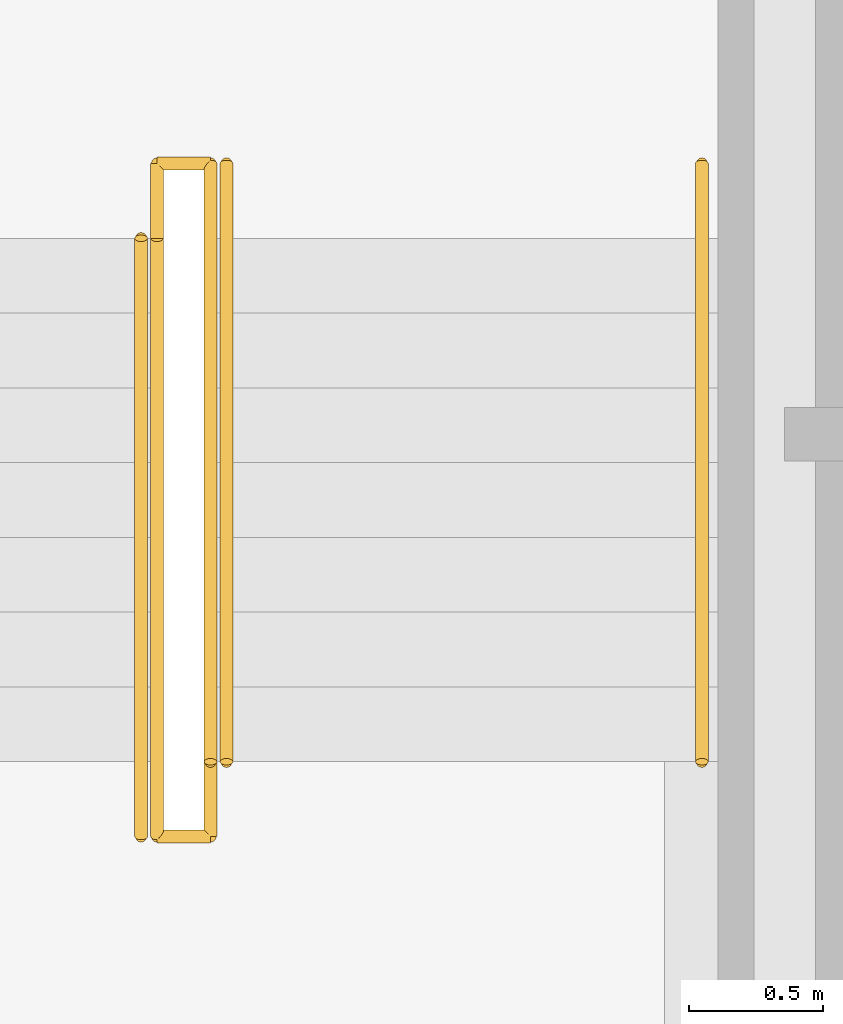
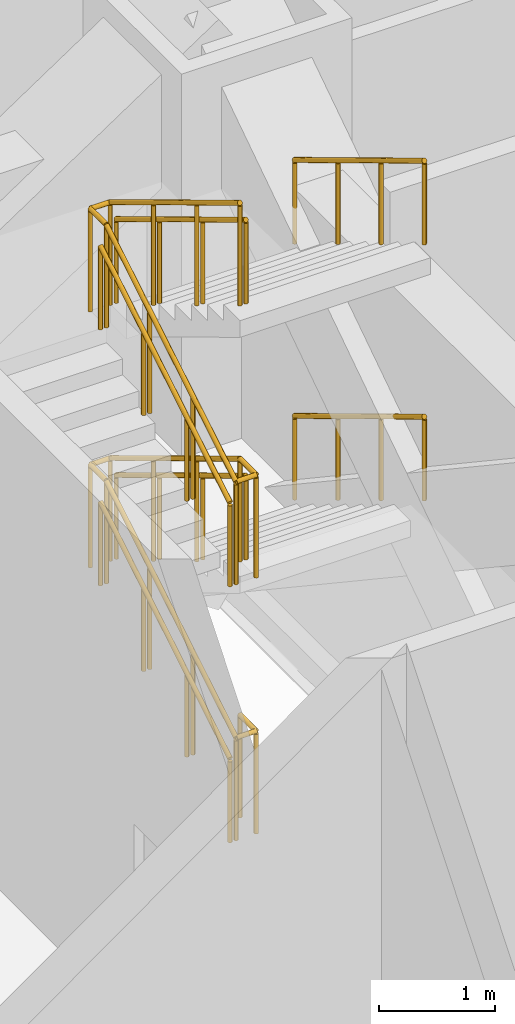
# One storey, part 29 of 30: 7 railings.
"""IFC4 building model written with IfcOpenShell, lengths in metres."""

from ifc_helpers import new_model, si_unit, direction, frame, origin, origin_2d, place, context, subcontext, project, spatial, circle, extrude, material, type_object, element, save


model = new_model("IFC4")

# Units and contexts
model_context = context("Model", 3, precision=1e-05, world=origin(), true_north=direction((0.0, 1.0)))
body_context = subcontext(model_context, "Body", "Model", "MODEL_VIEW")
ifc_project = project(units=[si_unit("LENGTHUNIT", "METRE"), si_unit("AREAUNIT", "SQUARE_METRE"), si_unit("VOLUMEUNIT", "CUBIC_METRE"), si_unit("PLANEANGLEUNIT", "RADIAN"), si_unit("MASSUNIT", "GRAM", prefix="KILO")], contexts=[model_context])

# Site, building, storey
site_placement = place(None, origin())
site = spatial("IfcSite", under=ifc_project, at=site_placement, CompositionType="ELEMENT")
building_placement = place(site_placement, origin())
building = spatial("IfcBuilding", under=site, at=building_placement, Name="Kopane Lantern Tower", CompositionType="ELEMENT")
storey_placement = place(building_placement, frame((0.0, 0.0, 6.0)))
storey = spatial("IfcBuildingStorey", under=building, at=storey_placement, Name="L01", CompositionType="ELEMENT", Elevation=6.0)

# Railings
ifc_material_1 = material(Name="Steel", Category="steel")
railing_type_1 = type_object("IfcRailingType", Name="STAIR GUARD 1100", PredefinedType="GUARDRAIL", material=ifc_material_1)
railing_1_placement = place(storey_placement, frame((38.35009765625, 36.389892578125, 0.0)))
element("IfcRailing", 1, at=railing_1_placement, inside=storey, type_object=railing_type_1, Name="ST2 well guard L01", PredefinedType="GUARDRAIL", context=body_context, shape_type="SweptSolid", body=[
    extrude(circle(Radius=0.02392578125, at=origin_2d()), frame((0.0, 0.0, 1.076171875), z_axis=(0.0, -1.0, 0.0), x_axis=(1.0, 0.0, 0.0)), (0.0, 0.0, 1.0), 0.27978515625),
    extrude(circle(Radius=0.02392578125, at=origin_2d()), frame((0.0, -0.27978515625, 1.076171875), z_axis=(-1.0, 0.0, 0.0), x_axis=(0.0, -1.0, 0.0)), (0.0, 0.0, 1.0), 0.2001953125),
    extrude(circle(Radius=0.02392578125, at=origin_2d()), frame((-0.2001953125, -0.27978515625, 1.076171875), z_axis=(0.0, 0.856461642802, 0.516210668632), x_axis=(-1.0, 0.0, 0.0)), (0.0, 0.0, 1.0), 2.615478515625),
    extrude(circle(Radius=0.02392578125, at=origin_2d()), frame((-0.2001953125, 1.960205078125, 2.42626953125), z_axis=(0.0, 1.0, 0.0), x_axis=(-1.0, 0.0, 0.0)), (0.0, 0.0, 1.0), 0.27978515625),
    extrude(circle(Radius=0.02392578125, at=origin_2d()), frame((-0.2001953125, 2.239990234375, 2.42626953125), z_axis=(1.0, 0.0, 0.0), x_axis=(0.0, 1.0, 0.0)), (0.0, 0.0, 1.0), 0.2001953125),
    extrude(circle(Radius=0.02392578125, at=origin_2d()), frame((0.0, 2.239990234375, 2.42626953125), z_axis=(0.0, -0.856502912269, 0.516142190947), x_axis=(1.0, 0.0, 0.0)), (0.0, 0.0, 1.0), 2.615234375),
    extrude(circle(Radius=0.02392578125, at=origin_2d()), frame((0.0, 0.0, 3.77587890625), z_axis=(0.0, -1.0, 0.0), x_axis=(1.0, 0.0, 0.0)), (0.0, 0.0, 1.0), 0.27978515625),
    extrude(circle(Radius=0.02392578125, at=origin_2d()), frame((0.0, -0.27978515625, 3.77587890625), z_axis=(-1.0, 0.0, 0.0), x_axis=(0.0, -1.0, 0.0)), (0.0, 0.0, 1.0), 0.2001953125),
    extrude(circle(Radius=0.02392578125, at=origin_2d()), frame((-0.2001953125, -0.27978515625, 3.77587890625), z_axis=(0.0, 0.856461642802, 0.516210668632), x_axis=(-1.0, 0.0, 0.0)), (0.0, 0.0, 1.0), 2.615478515625),
    extrude(circle(Radius=0.02392578125, at=origin_2d()), frame((-0.2001953125, 1.960205078125, 5.1259765625), z_axis=(0.0, 1.0, 0.0), x_axis=(-1.0, 0.0, 0.0)), (0.0, 0.0, 1.0), 0.27978515625),
    extrude(circle(Radius=0.02392578125, at=origin_2d()), frame((-0.2001953125, 2.239990234375, 5.1259765625), z_axis=(1.0, 0.0, 0.0), x_axis=(0.0, 1.0, 0.0)), (0.0, 0.0, 1.0), 0.2001953125),
    extrude(circle(Radius=0.02392578125, at=origin_2d()), frame((0.0, 2.239990234375, 5.1259765625), z_axis=(0.0, -0.856502912269, 0.516142190947), x_axis=(1.0, 0.0, 0.0)), (0.0, 0.0, 1.0), 2.615234375),
    extrude(circle(Radius=0.02099609375, at=origin_2d()), origin(), (0.0, 0.0, 1.0), 1.052001953125),
    extrude(circle(Radius=0.02099609375, at=origin_2d()), frame((0.0, -0.27978515625, 0.0)), (0.0, 0.0, 1.0), 1.052001953125),
    extrude(circle(Radius=0.02099609375, at=origin_2d()), frame((-0.2001953125, -0.27978515625, 0.0)), (0.0, 0.0, 1.0), 1.052001953125),
    extrude(circle(Radius=0.02099609375, at=origin_2d()), frame((-0.2001953125, 0.466796875, 0.449951171875)), (0.0, 0.0, 1.0), 1.052001953125),
    extrude(circle(Radius=0.02099609375, at=origin_2d()), frame((-0.2001953125, 1.213623046875, 0.900146484375)), (0.0, 0.0, 1.0), 1.052001953125),
    extrude(circle(Radius=0.02099609375, at=origin_2d()), frame((-0.2001953125, 1.960205078125, 1.35009765625)), (0.0, 0.0, 1.0), 1.052001953125),
    extrude(circle(Radius=0.02099609375, at=origin_2d()), frame((-0.2001953125, 2.239990234375, 1.35009765625)), (0.0, 0.0, 1.0), 1.052001953125),
    extrude(circle(Radius=0.02099609375, at=origin_2d()), frame((0.0, 2.239990234375, 1.35009765625)), (0.0, 0.0, 1.0), 1.052001953125),
    extrude(circle(Radius=0.02099609375, at=origin_2d()), frame((0.0, 1.493408203125, 1.800048828125)), (0.0, 0.0, 1.0), 1.052001953125),
    extrude(circle(Radius=0.02099609375, at=origin_2d()), frame((0.0, 0.74658203125, 2.25)), (0.0, 0.0, 1.0), 1.052001953125),
    extrude(circle(Radius=0.02099609375, at=origin_2d()), frame((0.0, 0.0, 2.699951171875)), (0.0, 0.0, 1.0), 1.052001953125),
    extrude(circle(Radius=0.02099609375, at=origin_2d()), frame((0.0, -0.27978515625, 2.699951171875)), (0.0, 0.0, 1.0), 1.052001953125),
    extrude(circle(Radius=0.02099609375, at=origin_2d()), frame((-0.2001953125, -0.27978515625, 2.699951171875)), (0.0, 0.0, 1.0), 1.052001953125),
    extrude(circle(Radius=0.02099609375, at=origin_2d()), frame((-0.2001953125, 0.466796875, 3.14990234375)), (0.0, 0.0, 1.0), 1.052001953125),
    extrude(circle(Radius=0.02099609375, at=origin_2d()), frame((-0.2001953125, 1.213623046875, 3.60009765625)), (0.0, 0.0, 1.0), 1.052001953125),
    extrude(circle(Radius=0.02099609375, at=origin_2d()), frame((-0.2001953125, 1.960205078125, 4.050048828125)), (0.0, 0.0, 1.0), 1.052001953125),
    extrude(circle(Radius=0.02099609375, at=origin_2d()), frame((-0.2001953125, 2.239990234375, 4.050048828125)), (0.0, 0.0, 1.0), 1.052001953125),
    extrude(circle(Radius=0.02099609375, at=origin_2d()), frame((0.0, 2.239990234375, 4.050048828125)), (0.0, 0.0, 1.0), 1.052001953125),
    extrude(circle(Radius=0.02099609375, at=origin_2d()), frame((0.0, 1.493408203125, 4.5)), (0.0, 0.0, 1.0), 1.052001953125),
    extrude(circle(Radius=0.02099609375, at=origin_2d()), frame((0.0, 0.74658203125, 4.949951171875)), (0.0, 0.0, 1.0), 1.052001953125),
    extrude(circle(Radius=0.02099609375, at=origin_2d()), frame((0.0, 0.0, 5.39990234375)), (0.0, 0.0, 1.0), 1.052001953125),
])
ifc_material_2 = material(Name="Steel", Category="steel")
railing_type_2 = type_object("IfcRailingType", Name="STAIR HANDRAIL 900", PredefinedType="HANDRAIL", material=ifc_material_2)
railing_2_placement = place(storey_placement, frame((38.090087890625, 36.110107421875, 0.0)))
element("IfcRailing", 2, at=railing_2_placement, inside=storey, type_object=railing_type_2, Name="ST2 handrail L01 flight 1", PredefinedType="HANDRAIL", context=body_context, shape_type="SweptSolid", body=[
    extrude(circle(Radius=0.02392578125, at=origin_2d()), frame((0.0, 0.0, 0.8759765625), z_axis=(0.0, 0.856461642802, 0.516210668632), x_axis=(-1.0, 0.0, 0.0)), (0.0, 0.0, 1.0), 2.615478515625),
    extrude(circle(Radius=0.02099609375, at=origin_2d()), origin(), (0.0, 0.0, 1.0), 0.851806640625),
    extrude(circle(Radius=0.02099609375, at=origin_2d()), frame((0.0, 0.74658203125, 0.449951171875)), (0.0, 0.0, 1.0), 0.851806640625),
    extrude(circle(Radius=0.02099609375, at=origin_2d()), frame((0.0, 1.493408203125, 0.900146484375)), (0.0, 0.0, 1.0), 0.851806640625),
    extrude(circle(Radius=0.02099609375, at=origin_2d()), frame((0.0, 2.239990234375, 1.35009765625)), (0.0, 0.0, 1.0), 0.851806640625),
])
for number, where, name in (
    (3, (40.18994140625, 38.6298828125, 1.35009765625), "ST2 handrail L01 flight 2"),
    (4, (38.409912109375, 38.6298828125, 1.35009765625), "ST2 handrail L01 flight 2"),
):
    element("IfcRailing", number, at=place(storey_placement, frame(where)), inside=storey, type_object=railing_type_2, Name=name, PredefinedType="HANDRAIL", context=body_context, shape_type="SweptSolid", body=[
        extrude(circle(Radius=0.02392578125, at=origin_2d()), frame((0.0, 0.0, 0.8759765625), z_axis=(0.0, -0.856502912269, 0.516142190947), x_axis=(1.0, 0.0, 0.0)), (0.0, 0.0, 1.0), 2.615234375),
        extrude(circle(Radius=0.02099609375, at=origin_2d()), origin(), (0.0, 0.0, 1.0), 0.851806640625),
        extrude(circle(Radius=0.02099609375, at=origin_2d()), frame((0.0, -0.74658203125, 0.449951171875)), (0.0, 0.0, 1.0), 0.851806640625),
        extrude(circle(Radius=0.02099609375, at=origin_2d()), frame((0.0, -1.493408203125, 0.89990234375)), (0.0, 0.0, 1.0), 0.851806640625),
        extrude(circle(Radius=0.02099609375, at=origin_2d()), frame((0.0, -2.239990234375, 1.349853515625)), (0.0, 0.0, 1.0), 0.851806640625),
    ])
railing_3_placement = place(storey_placement, frame((38.090087890625, 36.110107421875, 2.699951171875)))
element("IfcRailing", 5, at=railing_3_placement, inside=storey, type_object=railing_type_2, Name="ST2 handrail L01 flight 3", PredefinedType="HANDRAIL", context=body_context, shape_type="SweptSolid", body=[
    extrude(circle(Radius=0.02392578125, at=origin_2d()), frame((0.0, 0.0, 0.8759765625), z_axis=(0.0, 0.856461642802, 0.516210668632), x_axis=(-1.0, 0.0, 0.0)), (0.0, 0.0, 1.0), 2.615478515625),
    extrude(circle(Radius=0.02099609375, at=origin_2d()), origin(), (0.0, 0.0, 1.0), 0.851806640625),
    extrude(circle(Radius=0.02099609375, at=origin_2d()), frame((0.0, 0.74658203125, 0.449951171875)), (0.0, 0.0, 1.0), 0.851806640625),
    extrude(circle(Radius=0.02099609375, at=origin_2d()), frame((0.0, 1.493408203125, 0.900146484375)), (0.0, 0.0, 1.0), 0.851806640625),
    extrude(circle(Radius=0.02099609375, at=origin_2d()), frame((0.0, 2.239990234375, 1.35009765625)), (0.0, 0.0, 1.0), 0.851806640625),
])
for number, where, name in (
    (6, (40.18994140625, 38.6298828125, 4.050048828125), "ST2 handrail L01 flight 4"),
    (7, (38.409912109375, 38.6298828125, 4.050048828125), "ST2 handrail L01 flight 4"),
):
    element("IfcRailing", number, at=place(storey_placement, frame(where)), inside=storey, type_object=railing_type_2, Name=name, PredefinedType="HANDRAIL", context=body_context, shape_type="SweptSolid", body=[
        extrude(circle(Radius=0.02392578125, at=origin_2d()), frame((0.0, 0.0, 0.8759765625), z_axis=(0.0, -0.856502912269, 0.516142190947), x_axis=(1.0, 0.0, 0.0)), (0.0, 0.0, 1.0), 2.615234375),
        extrude(circle(Radius=0.02099609375, at=origin_2d()), origin(), (0.0, 0.0, 1.0), 0.851806640625),
        extrude(circle(Radius=0.02099609375, at=origin_2d()), frame((0.0, -0.74658203125, 0.449951171875)), (0.0, 0.0, 1.0), 0.851806640625),
        extrude(circle(Radius=0.02099609375, at=origin_2d()), frame((0.0, -1.493408203125, 0.89990234375)), (0.0, 0.0, 1.0), 0.851806640625),
        extrude(circle(Radius=0.02099609375, at=origin_2d()), frame((0.0, -2.239990234375, 1.349853515625)), (0.0, 0.0, 1.0), 0.851806640625),
    ])

save(model, "model.ifc")
